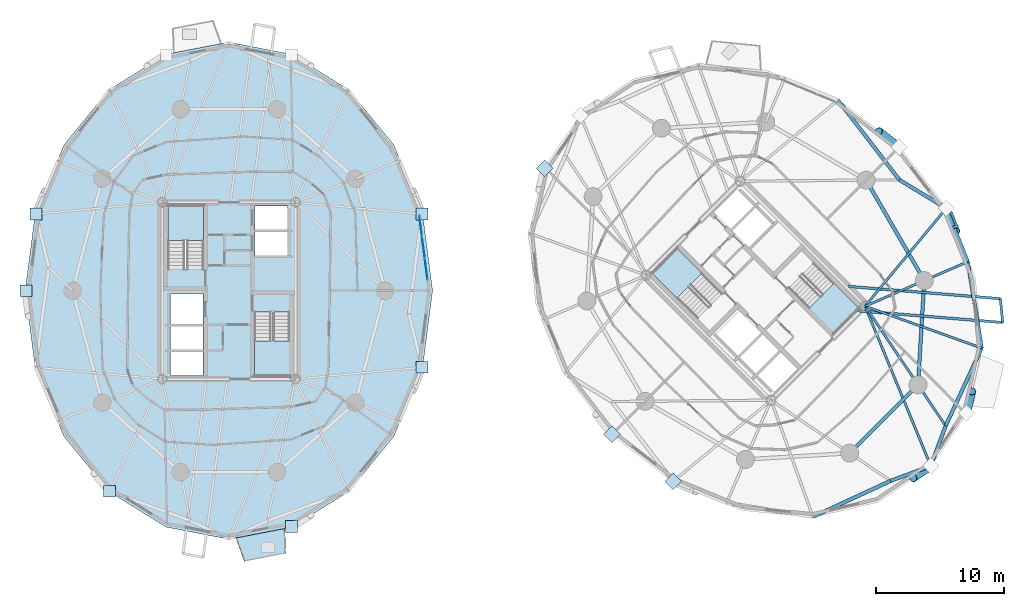
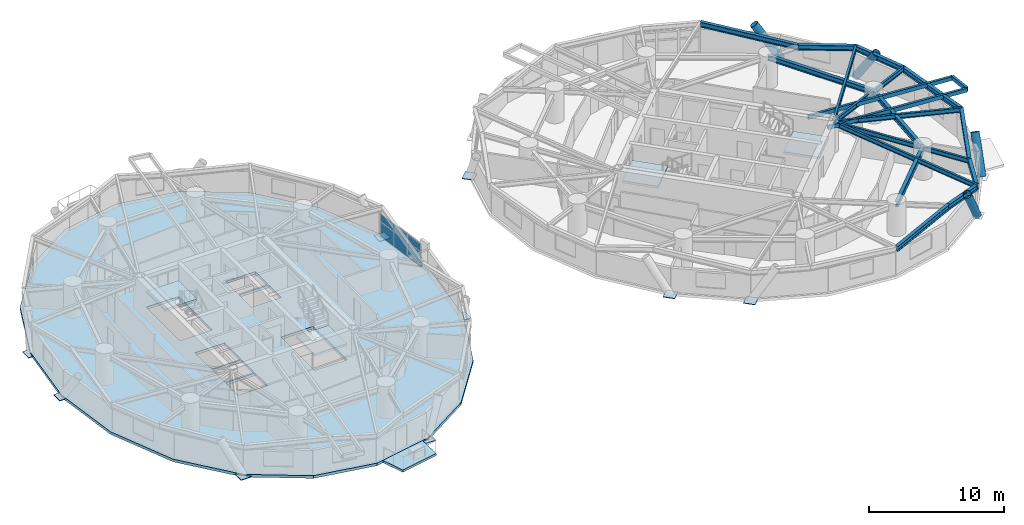
# One storey, part 8 of 18: 19 beams, 15 plates, 6 slabs, 4 members, 5 elements without a shape of their own.
"""IFC4 building model written with IfcOpenShell, lengths in metres."""

from ifc_helpers import new_model, si_unit, direction, frame, origin, origin_2d, place, context, subcontext, project, spatial, polyline, rectangle, hollow_rectangle, hollow_circle, i_section, outline, extrude, source, transform, mapped, material, layer, layer_set, material_profile, profile_set, type_object, element, aggregate, save


model = new_model("IFC4")

# Units and contexts
model_context = context("Model", 3, precision=1e-05, world=origin(), true_north=direction((0.0, 1.0)))
body_context = subcontext(model_context, "Body", "Model", "MODEL_VIEW")
ifc_project = project(units=[si_unit("LENGTHUNIT", "METRE"), si_unit("AREAUNIT", "SQUARE_METRE"), si_unit("VOLUMEUNIT", "CUBIC_METRE"), si_unit("PLANEANGLEUNIT", "RADIAN"), si_unit("MASSUNIT", "GRAM", prefix="KILO")], contexts=[model_context])

# Site, building, storey
site_placement = place(None, origin())
site = spatial("IfcSite", under=ifc_project, at=site_placement, CompositionType="ELEMENT")
building_placement = place(site_placement, origin())
building = spatial("IfcBuilding", under=site, at=building_placement, Name="Cununo Teusaquillo Station Towers", CompositionType="ELEMENT")
storey_placement = place(building_placement, frame((0.0, 0.0, 93.429931640625)))
storey = spatial("IfcBuildingStorey", under=building, at=storey_placement, Name="L29", CompositionType="ELEMENT", Elevation=93.429931640625)

# Beams
ifc_material_1 = material(Name="Steel EN 10025-2 S355J2", Category="steel")
ifc_material_profile_1 = material_profile(ifc_material_1, hollow_rectangle(XDim=0.199951171875, YDim=0.35009765625, WallThickness=0.013916015625, at=origin_2d()), Name="RHS 350x200x14")
ifc_profile_set_1 = profile_set([ifc_material_profile_1], Name="Steel EN 10025-2 S355J2")
beam_type_1 = type_object("IfcBeamType", Name="BM-BAL-CANT", PredefinedType="BEAM", material=ifc_profile_set_1)
beam_1_placement = place(storey_placement, frame((65.349609375, 22.945068359375, 2.4951171875), z_axis=(0.996745262171, -0.080615645749, 0.0), x_axis=(0.080615645749, 0.996745262171, 0.0)))
element("IfcBeam", 1, at=beam_1_placement, inside=storey, type_object=beam_type_1, Name="L29 Tower B Balcony Cantilever Bracket 2A", PredefinedType="BEAM", context=body_context, shape_type="SweptSolid", body=[
    extrude(hollow_rectangle(XDim=0.199951171875, YDim=0.35009765625, WallThickness=0.013916015625, at=origin_2d()), origin(), (0.0, 0.0, 1.0), 11.42626953125),
])
beam_2_placement = place(storey_placement, frame((64.73095703125, 24.835205078125, 2.4951171875), z_axis=(0.996743683159, -0.080635166538, 0.0), x_axis=(0.080635166538, 0.996743683159, 0.0)))
element("IfcBeam", 2, at=beam_2_placement, inside=storey, type_object=beam_type_1, Name="L29 Tower B Balcony Cantilever Bracket 2B", PredefinedType="BEAM", context=body_context, shape_type="SweptSolid", body=[
    extrude(hollow_rectangle(XDim=0.199951171875, YDim=0.35009765625, WallThickness=0.013916015625, at=origin_2d()), origin(), (0.0, 0.0, 1.0), 11.862548828125),
])
ifc_material_2 = material(Name="Steel ASTM A572 Grade 50", Category="steel")
ifc_material_profile_2 = material_profile(ifc_material_2, i_section(OverallWidth=0.180908203125, OverallDepth=0.4169921875, WebThickness=0.010986328125, FlangeThickness=0.018310546875, FilletRadius=0.012939453125, at=origin_2d()), Name="W16X57")
ifc_profile_set_2 = profile_set([ifc_material_profile_2], Name="Steel ASTM A572 Grade 50")
beam_type_2 = type_object("IfcBeamType", Name="BM-JOIST-1", PredefinedType="JOIST", material=ifc_profile_set_2)
beam_3_placement = place(storey_placement, frame((66.024169921875, 23.29443359375, 2.461669921875), z_axis=(0.380485864505, -0.924786735908, 0.0), x_axis=(0.924786735908, 0.380485864505, 0.0)))
element("IfcBeam", 3, at=beam_3_placement, inside=storey, type_object=beam_type_2, Name="L29 Tower B Radial Spandrel Joist V15", PredefinedType="JOIST", context=body_context, shape_type="SweptSolid", body=[
    extrude(i_section(OverallWidth=0.180908203125, OverallDepth=0.4169921875, WebThickness=0.010986328125, FlangeThickness=0.018310546875, FilletRadius=0.012939453125, at=origin_2d()), origin(), (0.0, 0.0, 1.0), 13.44580078125),
])
beam_4_placement = place(storey_placement, frame((66.024169921875, 23.29443359375, 2.461669921875), z_axis=(0.941082771055, -0.338176312038, 0.0), x_axis=(0.338176312038, 0.941082771055, 0.0)))
element("IfcBeam", 4, at=beam_4_placement, inside=storey, type_object=beam_type_2, Name="L29 Tower B Radial Spandrel Joist V17", PredefinedType="JOIST", context=body_context, shape_type="SweptSolid", body=[
    extrude(i_section(OverallWidth=0.180908203125, OverallDepth=0.4169921875, WebThickness=0.010986328125, FlangeThickness=0.018310546875, FilletRadius=0.012939453125, at=origin_2d()), origin(), (0.0, 0.0, 1.0), 9.646484375),
])
beam_5_placement = place(storey_placement, frame((66.024169921875, 23.29443359375, 2.461669921875), z_axis=(0.638372238196, 0.769727799615, 0.0), x_axis=(-0.769727799615, 0.638372238196, 0.0)))
element("IfcBeam", 5, at=beam_5_placement, inside=storey, type_object=beam_type_2, Name="L29 Tower B Radial Spandrel Joist V19", PredefinedType="JOIST", context=body_context, shape_type="SweptSolid", body=[
    extrude(i_section(OverallWidth=0.180908203125, OverallDepth=0.4169921875, WebThickness=0.010986328125, FlangeThickness=0.018310546875, FilletRadius=0.012939453125, at=origin_2d()), origin(), (0.0, 0.0, 1.0), 9.895263671875),
])
ifc_material_3 = material(Name="Steel ASTM A572 Grade 50", Category="steel")
ifc_material_profile_3 = material_profile(ifc_material_3, i_section(OverallWidth=0.180908203125, OverallDepth=0.4169921875, WebThickness=0.010986328125, FlangeThickness=0.018310546875, FilletRadius=0.012939453125, at=origin_2d()), Name="W16X57")
ifc_profile_set_3 = profile_set([ifc_material_profile_3], Name="Steel ASTM A572 Grade 50")
beam_type_3 = type_object("IfcBeamType", Name="BM-RAD-G2", PredefinedType="BEAM", material=ifc_profile_set_3)
beam_6_placement = place(storey_placement, frame((66.024169921875, 23.29443359375, 2.461669921875), z_axis=(0.558572297481, -0.82945583878, 0.0), x_axis=(0.82945583878, 0.558572297481, 0.0)))
element("IfcBeam", 6, at=beam_6_placement, inside=storey, type_object=beam_type_3, Name="L29 Tower B Continuous Overhanging Radial Girder 09", PredefinedType="BEAM", context=body_context, shape_type="SweptSolid", body=[
    extrude(i_section(OverallWidth=0.180908203125, OverallDepth=0.4169921875, WebThickness=0.010986328125, FlangeThickness=0.018310546875, FilletRadius=0.012939453125, at=origin_2d()), origin(), (0.0, 0.0, 1.0), 11.22998046875),
])
beam_7_placement = place(storey_placement, frame((66.024169921875, 23.29443359375, 2.461669921875), z_axis=(0.917654733344, 0.397378648609, 0.0), x_axis=(-0.397378648609, 0.917654733344, 0.0)))
element("IfcBeam", 7, at=beam_7_placement, inside=storey, type_object=beam_type_3, Name="L29 Tower B Continuous Overhanging Radial Girder 10", PredefinedType="BEAM", context=body_context, shape_type="SweptSolid", body=[
    extrude(i_section(OverallWidth=0.180908203125, OverallDepth=0.4169921875, WebThickness=0.010986328125, FlangeThickness=0.018310546875, FilletRadius=0.012939453125, at=origin_2d()), origin(), (0.0, 0.0, 1.0), 8.71484375),
])
ifc_material_4 = material(Name="Steel ASTM A572 Grade 50", Category="steel")
ifc_material_profile_4 = material_profile(ifc_material_4, i_section(OverallWidth=0.280029296875, OverallDepth=0.462890625, WebThickness=0.0107421875, FlangeThickness=0.017333984375, FilletRadius=0.013916015625, at=origin_2d()), Name="W18X76")
ifc_profile_set_4 = profile_set([ifc_material_profile_4], Name="Steel ASTM A572 Grade 50")
beam_type_4 = type_object("IfcBeamType", Name="BM-RING-Z2", PredefinedType="SPANDREL", material=ifc_profile_set_4)
beam_8_placement = place(storey_placement, frame((64.826904296875, 11.853759765625, 2.4384765625), z_axis=(0.707106781187, 0.707106781187, 0.0), x_axis=(-0.707106781187, 0.707106781187, 0.0)))
element("IfcBeam", 8, at=beam_8_placement, inside=storey, type_object=beam_type_4, Name="L29 Tower B Structural Column Ring Girder 08", PredefinedType="SPANDREL", context=body_context, shape_type="SweptSolid", body=[
    extrude(i_section(OverallWidth=0.280029296875, OverallDepth=0.462890625, WebThickness=0.0107421875, FlangeThickness=0.017333984375, FilletRadius=0.013916015625, at=origin_2d()), origin(), (0.0, 0.0, 1.0), 7.522705078125),
])
beam_9_placement = place(storey_placement, frame((70.146240234375, 17.173095703125, 2.4384765625), z_axis=(0.06012979176, 0.998190567048, 0.0), x_axis=(-0.998190567048, 0.06012979176, 0.0)))
element("IfcBeam", 9, at=beam_9_placement, inside=storey, type_object=beam_type_4, Name="L29 Tower B Structural Column Ring Girder 09", PredefinedType="SPANDREL", context=body_context, shape_type="SweptSolid", body=[
    extrude(i_section(OverallWidth=0.280029296875, OverallDepth=0.462890625, WebThickness=0.0107421875, FlangeThickness=0.017333984375, FilletRadius=0.013916015625, at=origin_2d()), origin(), (0.0, 0.0, 1.0), 8.132568359375),
])
beam_10_placement = place(storey_placement, frame((70.63525390625, 25.291015625, 2.4384765625), z_axis=(-0.501311121078, 0.865267103202, 0.0), x_axis=(-0.865267103202, -0.501311121078, 0.0)))
element("IfcBeam", 10, at=beam_10_placement, inside=storey, type_object=beam_type_4, Name="L29 Tower B Structural Column Ring Girder 10", PredefinedType="SPANDREL", context=body_context, shape_type="SweptSolid", body=[
    extrude(i_section(OverallWidth=0.280029296875, OverallDepth=0.462890625, WebThickness=0.0107421875, FlangeThickness=0.017333984375, FilletRadius=0.013916015625, at=origin_2d()), origin(), (0.0, 0.0, 1.0), 9.032958984375),
])
beam_11_placement = place(storey_placement, frame((68.694580078125, 33.12890625, 2.4384765625), z_axis=(-0.610100441726, 0.792324082056, 0.0), x_axis=(-0.792324082056, -0.610100441726, 0.0)))
element("IfcBeam", 11, at=beam_11_placement, inside=storey, type_object=beam_type_4, Name="L29 Tower B Spandrel Ring Beam 01", PredefinedType="SPANDREL", context=body_context, shape_type="SweptSolid", body=[
    extrude(i_section(OverallWidth=0.280029296875, OverallDepth=0.462890625, WebThickness=0.0107421875, FlangeThickness=0.017333984375, FilletRadius=0.013916015625, at=origin_2d()), origin(), (0.0, 0.0, 1.0), 7.84033203125),
])
beam_12_placement = place(storey_placement, frame((61.9677734375, 6.897705078125, 2.4384765625), z_axis=(0.907275870354, 0.420535961689, 0.0), x_axis=(-0.420535961689, 0.907275870354, 0.0)))
element("IfcBeam", 12, at=beam_12_placement, inside=storey, type_object=beam_type_4, Name="L29 Tower B Spandrel Ring Beam 14", PredefinedType="SPANDREL", context=body_context, shape_type="SweptSolid", body=[
    extrude(i_section(OverallWidth=0.280029296875, OverallDepth=0.462890625, WebThickness=0.0107421875, FlangeThickness=0.017333984375, FilletRadius=0.013916015625, at=origin_2d()), origin(), (0.0, 0.0, 1.0), 6.671142578125),
])
for number, where, z_axis, x_axis, name in (
    (13, (68.020263671875, 9.703125, 2.4384765625), (0.937628334414, 0.347639333943, 0.0), (-0.347639333943, 0.937628334414, 0.0), "L29 Tower B Spandrel Ring Beam 15"),
    (14, (71.14013671875, 10.85986328125, 2.4384765625), (0.347639333943, 0.937628334414, 0.0), (-0.937628334414, 0.347639333943, 0.0), "L29 Tower B Spandrel Ring Beam 16"),
):
    element("IfcBeam", number, at=place(storey_placement, frame(where, z_axis=z_axis, x_axis=x_axis)), inside=storey, type_object=beam_type_4, Name=name, PredefinedType="SPANDREL", context=body_context, shape_type="SweptSolid", body=[
        extrude(i_section(OverallWidth=0.280029296875, OverallDepth=0.462890625, WebThickness=0.0107421875, FlangeThickness=0.017333984375, FilletRadius=0.013916015625, at=origin_2d()), origin(), (0.0, 0.0, 1.0), 3.327392578125),
    ])
beam_13_placement = place(storey_placement, frame((72.296875, 13.979736328125, 2.4384765625), z_axis=(0.420535961689, 0.907275870354, 0.0), x_axis=(-0.907275870354, 0.420535961689, 0.0)))
element("IfcBeam", 15, at=beam_13_placement, inside=storey, type_object=beam_type_4, Name="L29 Tower B Spandrel Ring Beam 17", PredefinedType="SPANDREL", context=body_context, shape_type="SweptSolid", body=[
    extrude(i_section(OverallWidth=0.280029296875, OverallDepth=0.462890625, WebThickness=0.0107421875, FlangeThickness=0.017333984375, FilletRadius=0.013916015625, at=origin_2d()), origin(), (0.0, 0.0, 1.0), 6.671142578125),
])
beam_14_placement = place(storey_placement, frame((75.102294921875, 20.0322265625, 2.4384765625), z_axis=(-0.158671232312, 0.987331474246, 0.0), x_axis=(-0.987331474246, -0.158671232312, 0.0)))
element("IfcBeam", 16, at=beam_14_placement, inside=storey, type_object=beam_type_4, Name="L29 Tower B Spandrel Ring Beam 18", PredefinedType="SPANDREL", context=body_context, shape_type="SweptSolid", body=[
    extrude(i_section(OverallWidth=0.280029296875, OverallDepth=0.462890625, WebThickness=0.0107421875, FlangeThickness=0.017333984375, FilletRadius=0.013916015625, at=origin_2d()), origin(), (0.0, 0.0, 1.0), 6.8115234375),
])
beam_15_placement = place(storey_placement, frame((74.021484375, 26.757568359375, 2.4384765625), z_axis=(-0.375042266631, 0.927007712072, 0.0), x_axis=(-0.927007712072, -0.375042266631, 0.0)))
element("IfcBeam", 17, at=beam_15_placement, inside=storey, type_object=beam_type_4, Name="L29 Tower B Spandrel Ring Beam 19", PredefinedType="SPANDREL", context=body_context, shape_type="SweptSolid", body=[
    extrude(i_section(OverallWidth=0.280029296875, OverallDepth=0.462890625, WebThickness=0.0107421875, FlangeThickness=0.017333984375, FilletRadius=0.013916015625, at=origin_2d()), origin(), (0.0, 0.0, 1.0), 4.480712890625),
])
beam_16_placement = place(storey_placement, frame((72.341064453125, 30.9111328125, 2.4384765625), z_axis=(-0.854388492444, 0.519634779416, 0.0), x_axis=(-0.519634779416, -0.854388492444, 0.0)))
element("IfcBeam", 18, at=beam_16_placement, inside=storey, type_object=beam_type_4, Name="L29 Tower B Spandrel Ring Beam 20", PredefinedType="SPANDREL", context=body_context, shape_type="SweptSolid", body=[
    extrude(i_section(OverallWidth=0.280029296875, OverallDepth=0.462890625, WebThickness=0.0107421875, FlangeThickness=0.017333984375, FilletRadius=0.013916015625, at=origin_2d()), origin(), (0.0, 0.0, 1.0), 4.26806640625),
])
ifc_material_5 = material(Name="Steel EN 10025-2 S355J2", Category="steel")
ifc_material_profile_5 = material_profile(ifc_material_5, hollow_rectangle(XDim=0.199951171875, YDim=0.35009765625, WallThickness=0.013916015625, at=origin_2d()), Name="RHS 350x200x14")
ifc_profile_set_5 = profile_set([ifc_material_profile_5], Name="Steel EN 10025-2 S355J2")
beam_type_5 = type_object("IfcBeamType", Name="BM-STAIR-TRIM", PredefinedType="BEAM", material=ifc_profile_set_5)
beam_17_placement = place(storey_placement, frame((76.73876953125, 22.02392578125, 2.525146484375), z_axis=(-0.098634743912, 0.995123704518, 0.0), x_axis=(-0.995123704518, -0.098634743912, 0.0)))
element("IfcBeam", 19, at=beam_17_placement, inside=storey, type_object=beam_type_5, Name="L29 Tower B Balcony Edge Trimmer Beam 2", PredefinedType="BEAM", context=body_context, shape_type="SweptSolid", body=[
    extrude(hollow_rectangle(XDim=0.199951171875, YDim=0.35009765625, WallThickness=0.013916015625, at=origin_2d()), origin(), (0.0, 0.0, 1.0), 1.86376953125),
])

# Members
ifc_material_6 = material(Name="Steel EN 10025-2 S355J2", Category="steel")
ifc_material_profile_6 = material_profile(ifc_material_6, hollow_circle(Radius=0.330078125, WallThickness=0.02490234375, at=origin_2d()), Name="CHS 660x25")
ifc_profile_set_6 = profile_set([ifc_material_profile_6], Name="Steel EN 10025-2 S355J2")
member_type = type_object("IfcMemberType", Name="MBR-DIAG-Z2", PredefinedType="BRACE", material=ifc_profile_set_6)
member_1_placement = place(storey_placement, frame((68.673095703125, 35.673095703125, -0.139892578125), z_axis=(-0.449302990414, 0.34606419194, 0.823630012726), x_axis=(-0.610205273886, -0.792243348803, 0.0)))
element("IfcMember", 20, at=member_1_placement, inside=storey, type_object=member_type, Name="L29 Tower B Folded-Zigzag Diagrid Tube C00", PredefinedType="BRACE", context=body_context, shape_type="SweptSolid", body=[
    extrude(hollow_circle(Radius=0.330078125, WallThickness=0.02490234375, at=origin_2d()), origin(), (0.0, 0.0, 1.0), 3.532958984375),
])
member_2_placement = place(storey_placement, frame((71.14013671875, 10.85986328125, -0.139892578125), z_axis=(-0.410124934173, -0.277231625428, 0.868872927552), x_axis=(0.560024081213, -0.828476329452, 0.0)))
element("IfcMember", 21, at=member_2_placement, inside=storey, type_object=member_type, Name="L29 Tower B Folded-Zigzag Diagrid Tube C14", PredefinedType="BRACE", context=body_context, shape_type="SweptSolid", body=[
    extrude(hollow_circle(Radius=0.330078125, WallThickness=0.02490234375, at=origin_2d()), origin(), (0.0, 0.0, 1.0), 3.34912109375),
])
member_3_placement = place(storey_placement, frame((73.92529296875, 14.980224609375, -0.139892578125), z_axis=(0.115906612964, 0.49752571016, 0.859670765352), x_axis=(-0.973920299704, 0.226890391653, 0.0)))
element("IfcMember", 22, at=member_3_placement, inside=storey, type_object=member_type, Name="L29 Tower B Folded-Zigzag Diagrid Tube C16", PredefinedType="BRACE", context=body_context, shape_type="SweptSolid", body=[
    extrude(hollow_circle(Radius=0.330078125, WallThickness=0.02490234375, at=origin_2d()), origin(), (0.0, 0.0, 1.0), 3.385009765625),
])
member_4_placement = place(storey_placement, frame((72.341064453125, 30.9111328125, -0.139892578125), z_axis=(0.211085752623, -0.513514067291, 0.831712755543), x_axis=(0.924906987989, 0.380193455452, 0.0)))
element("IfcMember", 23, at=member_4_placement, inside=storey, type_object=member_type, Name="L29 Tower B Folded-Zigzag Diagrid Tube C18", PredefinedType="BRACE", context=body_context, shape_type="SweptSolid", body=[
    extrude(hollow_circle(Radius=0.330078125, WallThickness=0.02490234375, at=origin_2d()), origin(), (0.0, 0.0, 1.0), 3.498779296875),
])

# Slab
ifc_material_7 = material(Name="Concrete C50/60", Category="concrete")
ifc_layer_1 = layer(ifc_material_7, 0.2099609375)
ifc_layer_set_1 = layer_set([ifc_layer_1], Name="Concrete C50/60")
slab_type_1 = type_object("IfcSlabType", Name="SLB-BAL-210", PredefinedType="FLOOR", material=ifc_layer_set_1)
slab_1_placement = place(storey_placement, frame((0.0, 0.0, -0.2099609375)))
element("IfcSlab", 24, at=slab_1_placement, inside=storey, type_object=slab_type_1, Name="L29 Tower A Tree Balcony Slab 2", PredefinedType="FLOOR", context=body_context, shape_type="SweptSolid", body=[
    extrude(outline(polyline([(17.041015625, 5.24951171875), (20.8623046875, 5.98779296875), (20.930908203125, 4.05078125), (17.69873046875, 3.426025390625), (17.041015625, 5.24951171875)])), origin(), (0.0, 0.0, 1.0), 0.2099609375),
])

# Stair, slab
ifc_material_8 = material(Name="Concrete C50/60", Category="concrete")
stair_type = type_object("IfcStairType", Name="ST-TWR-1300", PredefinedType="HALF_TURN_STAIR", material=ifc_material_8)
stair_1_placement = place(storey_placement, origin())
stair_1 = element("IfcStair", 25, at=stair_1_placement, inside=storey, type_object=stair_type, Name="L29 Tower A Protected Core Exit Stair 1", PredefinedType="HALF_TURN_STAIR")
ifc_material_9 = material(Name="Concrete C50/60", Category="concrete")
ifc_layer_2 = layer(ifc_material_9, 0.199951171875)
ifc_layer_set_2 = layer_set([ifc_layer_2], Name="Concrete C50/60")
slab_type_2 = type_object("IfcSlabType", Name="SLB-STAIR-LND", PredefinedType="LANDING", material=ifc_layer_set_2)
slab_2_placement = place(storey_placement, frame((0.0, 0.0, 1.255126953125)))
slab_2 = element("IfcSlab", 26, at=slab_2_placement, type_object=slab_type_2, Name="ST-T1-1 landing 1", PredefinedType="LANDING", context=body_context, shape_type="SweptSolid", body=[
    extrude(outline(polyline([(14.52001953125, 28.409912109375), (14.52001953125, 31.159912109375), (11.760009765625, 31.159912109375), (11.760009765625, 28.409912109375), (14.52001953125, 28.409912109375)])), origin(), (0.0, 0.0, 1.0), 0.199951171875),
])
aggregate(stair_1, [slab_2])

stair_2_placement = place(storey_placement, origin())
stair_2 = element("IfcStair", 27, at=stair_2_placement, inside=storey, type_object=stair_type, Name="L29 Tower A Protected Core Exit Stair 2", PredefinedType="HALF_TURN_STAIR")
slab_3_placement = place(storey_placement, frame((0.0, 0.0, 1.255126953125)))
slab_3 = element("IfcSlab", 28, at=slab_3_placement, type_object=slab_type_2, Name="ST-T1-2 landing 1", PredefinedType="LANDING", context=body_context, shape_type="SweptSolid", body=[
    extrude(outline(polyline([(18.47998046875, 20.590087890625), (18.47998046875, 17.840087890625), (21.239990234375, 17.840087890625), (21.239990234375, 20.590087890625), (18.47998046875, 20.590087890625)])), origin(), (0.0, 0.0, 1.0), 0.199951171875),
])
aggregate(stair_2, [slab_3])

stair_3_placement = place(storey_placement, origin())
stair_3 = element("IfcStair", 29, at=stair_3_placement, inside=storey, type_object=stair_type, Name="L29 Tower B Protected Core Exit Stair 1", PredefinedType="HALF_TURN_STAIR")
slab_4_placement = place(storey_placement, frame((0.0, 0.0, 1.255126953125)))
slab_4 = element("IfcSlab", 30, at=slab_4_placement, type_object=slab_type_2, Name="ST-T2-1 landing 1", PredefinedType="LANDING", context=body_context, shape_type="SweptSolid", body=[
    extrude(outline(polyline([(53.335205078125, 25.86474609375), (51.390625, 27.809326171875), (49.43896484375, 25.857666015625), (51.383544921875, 23.9130859375), (53.335205078125, 25.86474609375)])), origin(), (0.0, 0.0, 1.0), 0.199951171875),
])
aggregate(stair_3, [slab_4])

stair_4_placement = place(storey_placement, origin())
stair_4 = element("IfcStair", 31, at=stair_4_placement, inside=storey, type_object=stair_type, Name="L29 Tower B Protected Core Exit Stair 2", PredefinedType="HALF_TURN_STAIR")
slab_5_placement = place(storey_placement, frame((0.0, 0.0, 1.255126953125)))
slab_5 = element("IfcSlab", 32, at=slab_5_placement, type_object=slab_type_2, Name="ST-T2-2 landing 1", PredefinedType="LANDING", context=body_context, shape_type="SweptSolid", body=[
    extrude(outline(polyline([(61.664794921875, 23.13525390625), (63.609375, 21.190673828125), (65.56103515625, 23.142333984375), (63.616455078125, 25.0869140625), (61.664794921875, 23.13525390625)])), origin(), (0.0, 0.0, 1.0), 0.199951171875),
])
aggregate(stair_4, [slab_5])

# Slab
ifc_material_10 = material(Name="Concrete C40/50", Category="concrete")
ifc_layer_3 = layer(ifc_material_10, 0.239990234375)
ifc_layer_set_3 = layer_set([ifc_layer_3], Name="Concrete C40/50")
slab_type_3 = type_object("IfcSlabType", Name="SLB-Z2-240", PredefinedType="FLOOR", material=ifc_layer_set_3)
slab_6_placement = place(storey_placement, frame((0.0, 0.0, -0.239990234375)))
element("IfcSlab", 33, at=slab_6_placement, inside=storey, type_object=slab_type_3, Name="L29 Tower A Floor Slab", PredefinedType="FLOOR", context=body_context, shape_type="SweptSolid", body=[
    extrude(outline(polyline([(32.361083984375, 24.5), (31.584716796875, 30.4794921875), (29.331787109375, 35.87353515625), (25.822998046875, 40.154541015625), (21.4013671875, 42.90283203125), (16.5, 43.85009765625), (11.5986328125, 42.90283203125), (7.177001953125, 40.154541015625), (3.668212890625, 35.87353515625), (1.415283203125, 30.4794921875), (0.638916015625, 24.5), (1.415283203125, 18.5205078125), (3.668212890625, 13.12646484375), (7.177001953125, 8.845458984375), (11.5986328125, 6.09716796875), (16.5, 5.14990234375), (21.4013671875, 6.09716796875), (25.822998046875, 8.845458984375), (29.331787109375, 13.12646484375), (31.584716796875, 18.5205078125), (32.361083984375, 24.5)]), holes=[polyline([(14.52001953125, 26.176025390625), (14.52001953125, 31.159912109375), (11.760009765625, 31.159912109375), (11.760009765625, 26.176025390625), (14.52001953125, 26.176025390625)]), polyline([(18.47998046875, 22.823974609375), (18.47998046875, 17.840087890625), (21.239990234375, 17.840087890625), (21.239990234375, 22.823974609375), (18.47998046875, 22.823974609375)]), polyline([(11.949951171875, 21.85009765625), (14.47998046875, 21.85009765625), (14.47998046875, 24.25), (11.949951171875, 24.25), (11.949951171875, 21.85009765625)]), polyline([(11.949951171875, 17.89990234375), (14.47998046875, 17.89990234375), (14.47998046875, 19.75), (11.949951171875, 19.75), (11.949951171875, 17.89990234375)]), polyline([(11.949951171875, 19.89990234375), (14.47998046875, 19.89990234375), (14.47998046875, 21.75), (11.949951171875, 21.75), (11.949951171875, 19.89990234375)]), polyline([(18.52001953125, 27.25), (21.050048828125, 27.25), (21.050048828125, 29.10009765625), (18.52001953125, 29.10009765625), (18.52001953125, 27.25)]), polyline([(18.52001953125, 29.25), (21.050048828125, 29.25), (21.050048828125, 31.10009765625), (18.52001953125, 31.10009765625), (18.52001953125, 29.25)])]), origin(), (0.0, 0.0, 1.0), 0.239990234375),
])

# Plates
ifc_material_11 = material(Name="Steel ASTM A572 Grade 50", Category="steel")
ifc_layer_4 = layer(ifc_material_11, 0.050048828125)
ifc_layer_set_4 = layer_set([ifc_layer_4], Name="Steel ASTM A572 Grade 50")
plate_type_1 = type_object("IfcPlateType", Name="PLT-NODE-DN1", PredefinedType="USERDEFINED", material=ifc_layer_set_4)
shared_shape_1 = source(origin(), body_context, "Body", "SweptSolid", [
    extrude(rectangle(XDim=0.919921875, YDim=0.919921875, at=origin_2d()), origin(), (0.0, 0.0, 1.0), 0.050048828125),
])
for number, where, z_axis, x_axis, name in (
    (34, (31.527587890625, 30.4609375, -0.1650390625), (0.0, 0.0, 1.0), (1.0, 0.0, 0.0), "L29 Tower A Diagrid Node Assembly C01"),
    (35, (1.472412109375, 30.4609375, -0.1650390625), (0.0, 0.0, 1.0), (1.0, 0.0, 0.0), "L29 Tower A Diagrid Node Assembly C08"),
    (36, (0.698974609375, 24.5, -0.1650390625), (0.0, 0.0, 1.0), (1.0, 0.0, 0.0), "L29 Tower A Diagrid Node Assembly C10"),
    (37, (7.21240234375, 8.89404296875, -0.1650390625), (0.0, 0.0, 1.0), (1.0, 0.0, 0.0), "L29 Tower A Diagrid Node Assembly C12"),
    (38, (21.3828125, 6.154052734375, -0.1650390625), (0.0, 0.0, 1.0), (1.0, 0.0, 0.0), "L29 Tower A Diagrid Node Assembly C16"),
    (39, (31.527587890625, 18.5390625, -0.1650390625), (0.0, 0.0, 1.0), (1.0, 0.0, 0.0), "L29 Tower A Diagrid Node Assembly C18"),
    (40, (41.07470703125, 34.019775390625, -0.1650390625), (0.0, 0.0, 1.0), (0.707106781187, 0.707106781187, 0.0), "L29 Tower B Diagrid Node Assembly C06"),
    (41, (46.326904296875, 13.326904296875, -0.1650390625), (0.0, 0.0, 1.0), (0.707106781187, 0.707106781187, 0.0), "L29 Tower B Diagrid Node Assembly C09"),
    (42, (51.0888671875, 9.658935546875, -0.1650390625), (0.0, 0.0, 1.0), (0.707106781187, 0.707106781187, 0.0), "L29 Tower B Diagrid Node Assembly C11"),
):
    element("IfcPlate", number, at=place(storey_placement, frame(where, z_axis=z_axis, x_axis=x_axis)), inside=storey, type_object=plate_type_1, Name=name, ObjectType="GUSSET PLATE", PredefinedType="USERDEFINED", context=body_context, shape_type="MappedRepresentation", body=[
        mapped(shared_shape_1, transform((0.0, 0.0, 0.0), x_axis=(1.0, 0.0, 0.0), y_axis=(0.0, 1.0, 0.0), z_axis=(0.0, 0.0, 1.0), scale=1.0)),
    ])

# Curtain wall, plates
ifc_material_12 = material(Name="Ceramic-fritted dark low-E double glazing", Category="glass")
ifc_layer_5 = layer(ifc_material_12, 0.179931640625)
ifc_layer_set_5 = layer_set([ifc_layer_5], Name="Ceramic-fritted dark low-E double glazing")
curtain_wall_type = type_object("IfcCurtainWallType", Name="CW-SYS-04", PredefinedType="USERDEFINED", material=ifc_layer_set_5)
curtain_wall_placement = place(storey_placement, origin())
curtain_wall = element("IfcCurtainWall", 43, at=curtain_wall_placement, inside=storey, type_object=curtain_wall_type, Name="L29 Tower A Facade Curtain Wall C00", ObjectType="FRITTED GLAZING", PredefinedType="USERDEFINED")
ifc_material_13 = material(Name="Ceramic-fritted dark low-E double glazing", Category="glass")
ifc_layer_6 = layer(ifc_material_13, 0.028076171875)
ifc_layer_set_6 = layer_set([ifc_layer_6], Name="Ceramic-fritted dark low-E double glazing")
plate_type_2 = type_object("IfcPlateType", Name="CWP-FRIT-28", PredefinedType="CURTAIN_PANEL", material=ifc_layer_set_6)
shared_shape_2 = source(origin(), body_context, "Body", "SweptSolid", [
    extrude(rectangle(XDim=1.59228515625, YDim=0.028076171875, at=origin_2d()), origin(), (0.0, 0.0, 1.0), 1.31103515625),
])
plate_1_placement = place(storey_placement, frame((31.429443359375, 29.533935546875, 0.070068359375), z_axis=(0.0, 0.0, 1.0), x_axis=(0.128335852387, -0.991730764367, 0.0)))
plate_1 = element("IfcPlate", 44, at=plate_1_placement, type_object=plate_type_2, Name="CW-04 panel 1.1", PredefinedType="CURTAIN_PANEL", context=body_context, shape_type="MappedRepresentation", body=[
    mapped(shared_shape_2, transform((0.0, 0.0, 0.0), x_axis=(1.0, 0.0, 0.0), y_axis=(0.0, 1.0, 0.0), z_axis=(0.0, 0.0, 1.0), scale=1.0)),
])
plate_2_placement = place(storey_placement, frame((31.86083984375, 26.201904296875, 0.070068359375), z_axis=(0.0, 0.0, 1.0), x_axis=(0.128335852387, -0.991730764367, 0.0)))
plate_2 = element("IfcPlate", 45, at=plate_2_placement, type_object=plate_type_2, Name="CW-04 panel 3.1", PredefinedType="CURTAIN_PANEL", context=body_context, shape_type="MappedRepresentation", body=[
    mapped(shared_shape_2, transform((0.0, 0.0, 0.0), x_axis=(1.0, 0.0, 0.0), y_axis=(0.0, 1.0, 0.0), z_axis=(0.0, 0.0, 1.0), scale=1.0)),
])
shared_shape_3 = source(origin(), body_context, "Body", "SweptSolid", [
    extrude(rectangle(XDim=1.59228515625, YDim=0.028076171875, at=origin_2d()), origin(), (0.0, 0.0, 1.0), 0.657958984375),
])
plate_3_placement = place(storey_placement, frame((31.429443359375, 29.533935546875, 1.451171875), z_axis=(0.0, 0.0, 1.0), x_axis=(0.128335852387, -0.991730764367, 0.0)))
plate_3 = element("IfcPlate", 46, at=plate_3_placement, type_object=plate_type_2, Name="CW-04 panel 1.2", PredefinedType="CURTAIN_PANEL", context=body_context, shape_type="MappedRepresentation", body=[
    mapped(shared_shape_3, transform((0.0, 0.0, 0.0), x_axis=(1.0, 0.0, 0.0), y_axis=(0.0, 1.0, 0.0), z_axis=(0.0, 0.0, 1.0), scale=1.0)),
])
plate_4_placement = place(storey_placement, frame((31.86083984375, 26.201904296875, 1.451171875), z_axis=(0.0, 0.0, 1.0), x_axis=(0.128335852387, -0.991730764367, 0.0)))
plate_4 = element("IfcPlate", 47, at=plate_4_placement, type_object=plate_type_2, Name="CW-04 panel 3.2", PredefinedType="CURTAIN_PANEL", context=body_context, shape_type="MappedRepresentation", body=[
    mapped(shared_shape_3, transform((0.0, 0.0, 0.0), x_axis=(1.0, 0.0, 0.0), y_axis=(0.0, 1.0, 0.0), z_axis=(0.0, 0.0, 1.0), scale=1.0)),
])
shared_shape_4 = source(origin(), body_context, "Body", "SweptSolid", [
    extrude(rectangle(XDim=1.62744140625, YDim=0.028076171875, at=origin_2d()), origin(), (0.0, 0.0, 1.0), 1.31103515625),
])
plate_5_placement = place(storey_placement, frame((31.645263671875, 27.867919921875, 0.070068359375), z_axis=(0.0, 0.0, 1.0), x_axis=(0.128335852387, -0.991730764367, 0.0)))
plate_5 = element("IfcPlate", 48, at=plate_5_placement, type_object=plate_type_2, Name="CW-04 panel 2.1", PredefinedType="CURTAIN_PANEL", context=body_context, shape_type="MappedRepresentation", body=[
    mapped(shared_shape_4, transform((0.0, 0.0, 0.0), x_axis=(1.0, 0.0, 0.0), y_axis=(0.0, 1.0, 0.0), z_axis=(0.0, 0.0, 1.0), scale=1.0)),
])
shared_shape_5 = source(origin(), body_context, "Body", "SweptSolid", [
    extrude(rectangle(XDim=1.62744140625, YDim=0.028076171875, at=origin_2d()), origin(), (0.0, 0.0, 1.0), 0.657958984375),
])
plate_6_placement = place(storey_placement, frame((31.645263671875, 27.867919921875, 1.451171875), z_axis=(0.0, 0.0, 1.0), x_axis=(0.128335852387, -0.991730764367, 0.0)))
plate_6 = element("IfcPlate", 49, at=plate_6_placement, type_object=plate_type_2, Name="CW-04 panel 2.2", PredefinedType="CURTAIN_PANEL", context=body_context, shape_type="MappedRepresentation", body=[
    mapped(shared_shape_5, transform((0.0, 0.0, 0.0), x_axis=(1.0, 0.0, 0.0), y_axis=(0.0, 1.0, 0.0), z_axis=(0.0, 0.0, 1.0), scale=1.0)),
])
aggregate(curtain_wall, [plate_1, plate_3, plate_5, plate_6, plate_2, plate_4])

save(model, "model.ifc")
